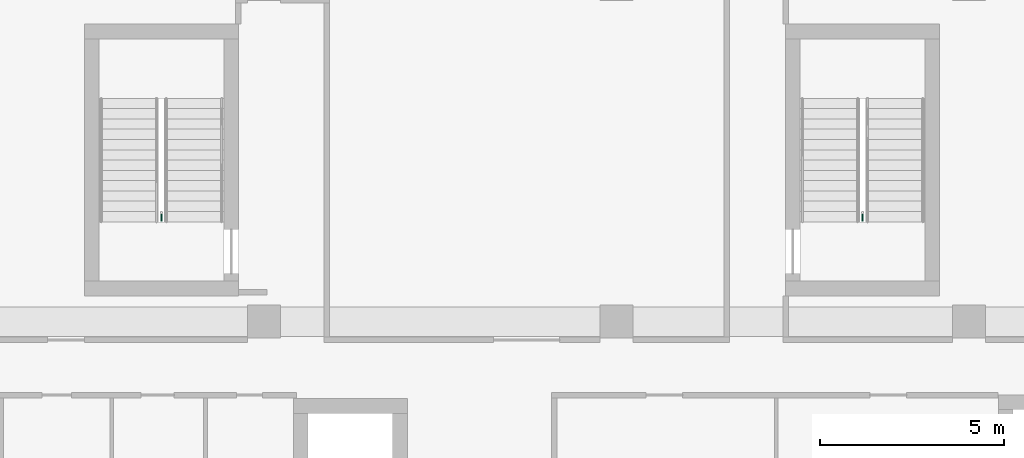
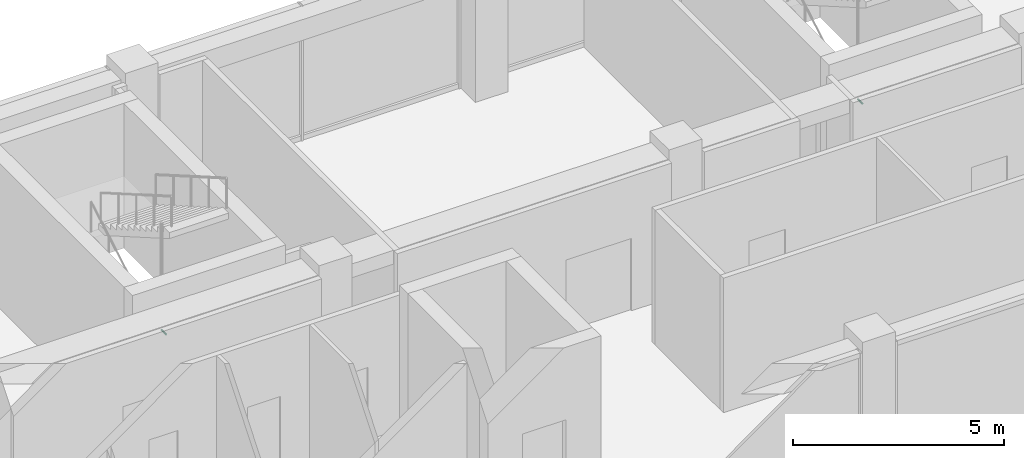
# One storey, part 38 of 38: 2 pipe fittings.
"""IFC4 building model written with IfcOpenShell, lengths in metres."""

from ifc_helpers import new_model, si_unit, direction, frame, origin, origin_2d, place, context, subcontext, project, spatial, circle, extrude, element, save


model = new_model("IFC4")

# Units and contexts
model_context = context("Model", 3, precision=1e-05, world=origin(), true_north=direction((0.0, 1.0)))
body_context = subcontext(model_context, "Body", "Model", "MODEL_VIEW")
ifc_project = project(units=[si_unit("LENGTHUNIT", "METRE"), si_unit("AREAUNIT", "SQUARE_METRE"), si_unit("VOLUMEUNIT", "CUBIC_METRE"), si_unit("PLANEANGLEUNIT", "RADIAN"), si_unit("MASSUNIT", "GRAM", prefix="KILO")], contexts=[model_context])

# Site, building, storey
site_placement = place(None, origin())
site = spatial("IfcSite", under=ifc_project, at=site_placement, CompositionType="ELEMENT")
building_placement = place(site_placement, origin())
building = spatial("IfcBuilding", under=site, at=building_placement, Name="Nzadi Deep Aquarium and Research Tower", CompositionType="ELEMENT")
storey_placement = place(building_placement, frame((0.0, 0.0, 65.5)))
storey = spatial("IfcBuildingStorey", under=building, at=storey_placement, Name="L13", CompositionType="ELEMENT", Elevation=65.5)

# Pipe fittings
for number, where, z_axis, x_axis, name in (
    (1, (6.800048828125, 39.77001953125, 1.10009765625), (0.0, -1.0, 0.0), (1.0, 0.0, 0.0), "Dry riser outlet ST-Z1-NW L13"),
    (2, (25.89990234375, 39.77001953125, 1.10009765625), (0.0, -1.0, 0.0), (1.0, 0.0, 0.0), "Dry riser outlet ST-Z1-NE L13"),
):
    element("IfcPipeFitting", number, at=place(storey_placement, frame(where, z_axis=z_axis, x_axis=x_axis)), inside=storey, Name=name, PredefinedType="EXIT", context=body_context, shape_type="SweptSolid", body=[
        extrude(circle(Radius=0.0224609375, at=origin_2d()), origin(), (0.0, 0.0, 1.0), 0.22998046875),
    ])

save(model, "model.ifc")
